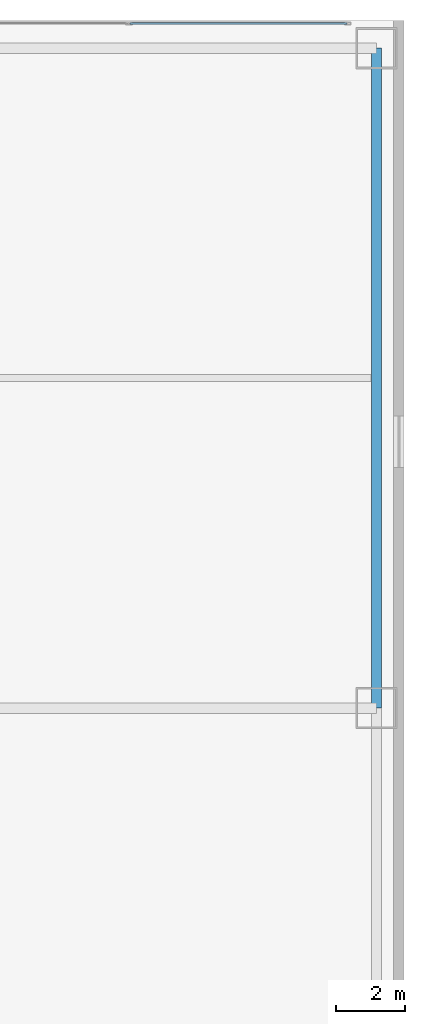
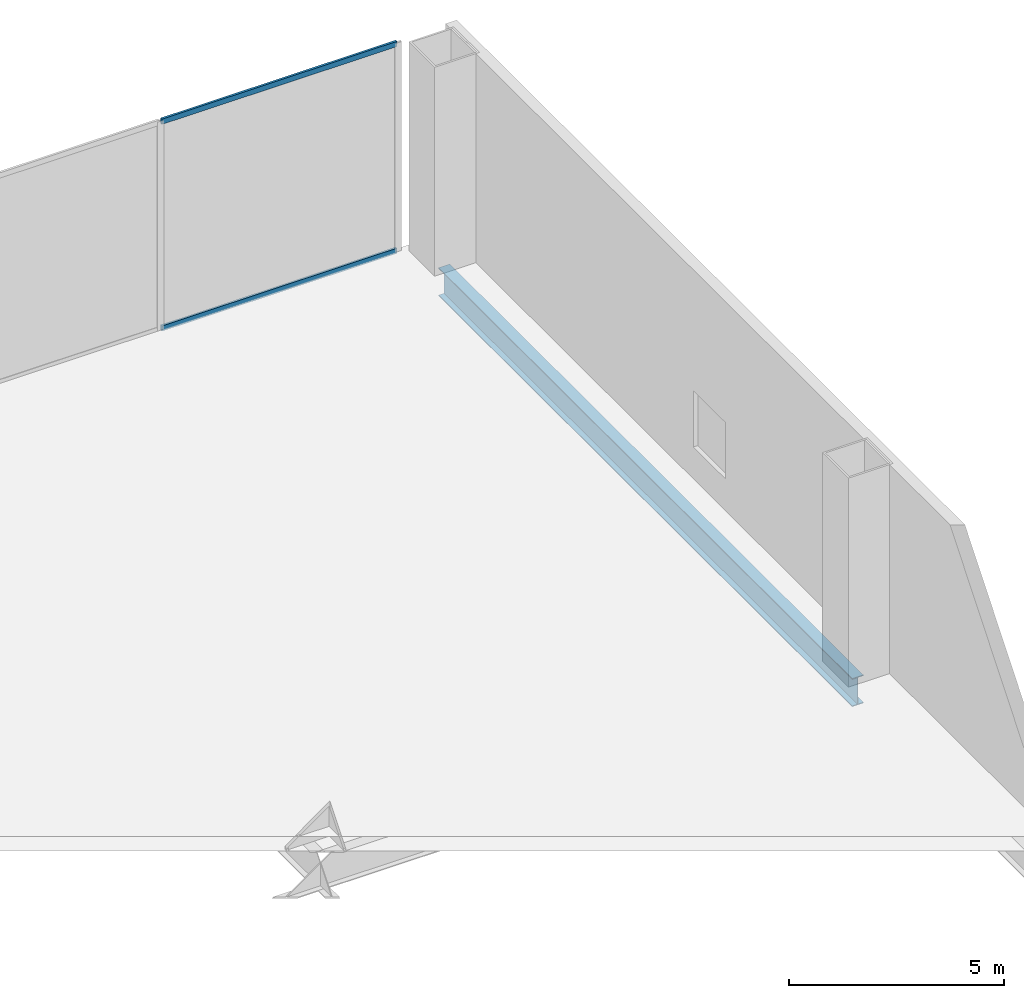
# One storey, part 30 of 41: 2 members, 1 beam, 1 element without a shape of its own.
"""IFC4 building model written with IfcOpenShell, lengths in metres."""

from ifc_helpers import new_model, si_unit, direction, frame, origin, origin_2d, place, context, subcontext, project, spatial, hollow_rectangle, i_section, extrude, source, transform, mapped, material, layer, layer_set, material_profile, profile_set, type_object, element, aggregate, save


model = new_model("IFC4")

# Units and contexts
model_context = context("Model", 3, precision=1e-05, world=origin(), true_north=direction((0.0, 1.0)))
body_context = subcontext(model_context, "Body", "Model", "MODEL_VIEW")
ifc_project = project(units=[si_unit("LENGTHUNIT", "METRE"), si_unit("AREAUNIT", "SQUARE_METRE"), si_unit("VOLUMEUNIT", "CUBIC_METRE"), si_unit("PLANEANGLEUNIT", "RADIAN"), si_unit("MASSUNIT", "GRAM", prefix="KILO"), si_unit("THERMODYNAMICTEMPERATUREUNIT", "KELVIN"), si_unit("POWERUNIT", "WATT")], contexts=[model_context])

# Site, building, storey
site_placement = place(None, origin())
site = spatial("IfcSite", under=ifc_project, at=site_placement, CompositionType="ELEMENT")
building_placement = place(site_placement, origin())
building = spatial("IfcBuilding", under=site, at=building_placement, Name="Yunzhuo Pagoda Commons", CompositionType="ELEMENT")
storey_placement = place(building_placement, frame((0.0, 0.0, 19.199951171875)))
storey = spatial("IfcBuildingStorey", under=building, at=storey_placement, Name="L05", CompositionType="ELEMENT", Elevation=19.199951171875)

# Beam
ifc_material_1 = material(Name="Structural steel Q355B", Category="steel")
ifc_material_profile_1 = material_profile(ifc_material_1, i_section(OverallWidth=0.300048828125, OverallDepth=0.800048828125, WebThickness=0.013916015625, FlangeThickness=0.02587890625, at=origin_2d()), Name="Structural steel Q355B")
ifc_profile_set_1 = profile_set([ifc_material_profile_1], Name="Structural steel Q355B")
beam_type = type_object("IfcBeamType", Name="B-PD2 Beam HN 800x300x14x26", PredefinedType="BEAM", material=ifc_profile_set_1)
shared_shape_1 = source(origin(), body_context, "Body", "SweptSolid", [
    extrude(i_section(OverallWidth=0.300048828125, OverallDepth=0.800048828125, WebThickness=0.013916015625, FlangeThickness=0.02587890625, at=origin_2d()), origin(), (0.0, 0.0, 1.0), 19.199951171875),
])
beam_placement = place(storey_placement, frame((91.199951171875, 62.0, -0.6796875), z_axis=(0.0, 1.0, 0.0), x_axis=(-1.0, 0.0, 0.0)))
element("IfcBeam", 1, at=beam_placement, inside=storey, type_object=beam_type, Name="L05 podium girder NS 6.4", PredefinedType="BEAM", context=body_context, shape_type="MappedRepresentation", body=[
    mapped(shared_shape_1, transform((0.0, 0.0, 0.0), scale=1.0)),
])

# Curtain wall, members
ifc_material_2 = material(Name="Anodized aluminium 6063-T6", Category="aluminium")
ifc_layer = layer(ifc_material_2, 0.179931640625)
ifc_layer_set = layer_set([ifc_layer], Name="Anodized aluminium 6063-T6")
curtain_wall_type = type_object("IfcCurtainWallType", Name="CW-POD Waterfront Podium Curtain Wall", PredefinedType="NOTDEFINED", material=ifc_layer_set)
curtain_wall_placement = place(storey_placement, origin())
curtain_wall = element("IfcCurtainWall", 2, at=curtain_wall_placement, inside=storey, type_object=curtain_wall_type, Name="L05 curtain wall CW-L05-N5", PredefinedType="NOTDEFINED")
ifc_material_profile_2 = material_profile(ifc_material_2, hollow_rectangle(XDim=0.06005859375, YDim=0.14990234375, WallThickness=0.00390625, at=origin_2d()), Name="Anodized aluminium 6063-T6")
ifc_profile_set_2 = profile_set([ifc_material_profile_2], Name="Anodized aluminium 6063-T6")
member_type = type_object("IfcMemberType", Name="CW-POD-T Transom RHS 150x60x4", PredefinedType="USERDEFINED", material=ifc_profile_set_2)
shared_shape_2 = source(origin(), body_context, "Body", "SweptSolid", [
    extrude(hollow_rectangle(XDim=0.06005859375, YDim=0.14990234375, WallThickness=0.00390625, at=origin_2d()), origin(), (0.0, 0.0, 1.0), 6.302490234375),
])
member_1_placement = place(storey_placement, frame((84.032470703125, 81.919921875, 0.0302734375), z_axis=(1.0, 0.0, 0.0), x_axis=(0.0, 1.0, 0.0)))
member_1 = element("IfcMember", 3, at=member_1_placement, type_object=member_type, Name="CW transom 2.1", ObjectType="TRANSOM", PredefinedType="USERDEFINED", context=body_context, shape_type="MappedRepresentation", body=[
    mapped(shared_shape_2, transform((0.0, 0.0, 0.0), scale=1.0)),
])
member_2_placement = place(storey_placement, frame((84.032470703125, 81.919921875, 5.89013671875), z_axis=(1.0, 0.0, 0.0), x_axis=(0.0, 1.0, 0.0)))
member_2 = element("IfcMember", 4, at=member_2_placement, type_object=member_type, Name="CW transom 2.2", ObjectType="TRANSOM", PredefinedType="USERDEFINED", context=body_context, shape_type="MappedRepresentation", body=[
    mapped(shared_shape_2, transform((0.0, 0.0, 0.0), scale=1.0)),
])
aggregate(curtain_wall, [member_1, member_2])

save(model, "model.ifc")
